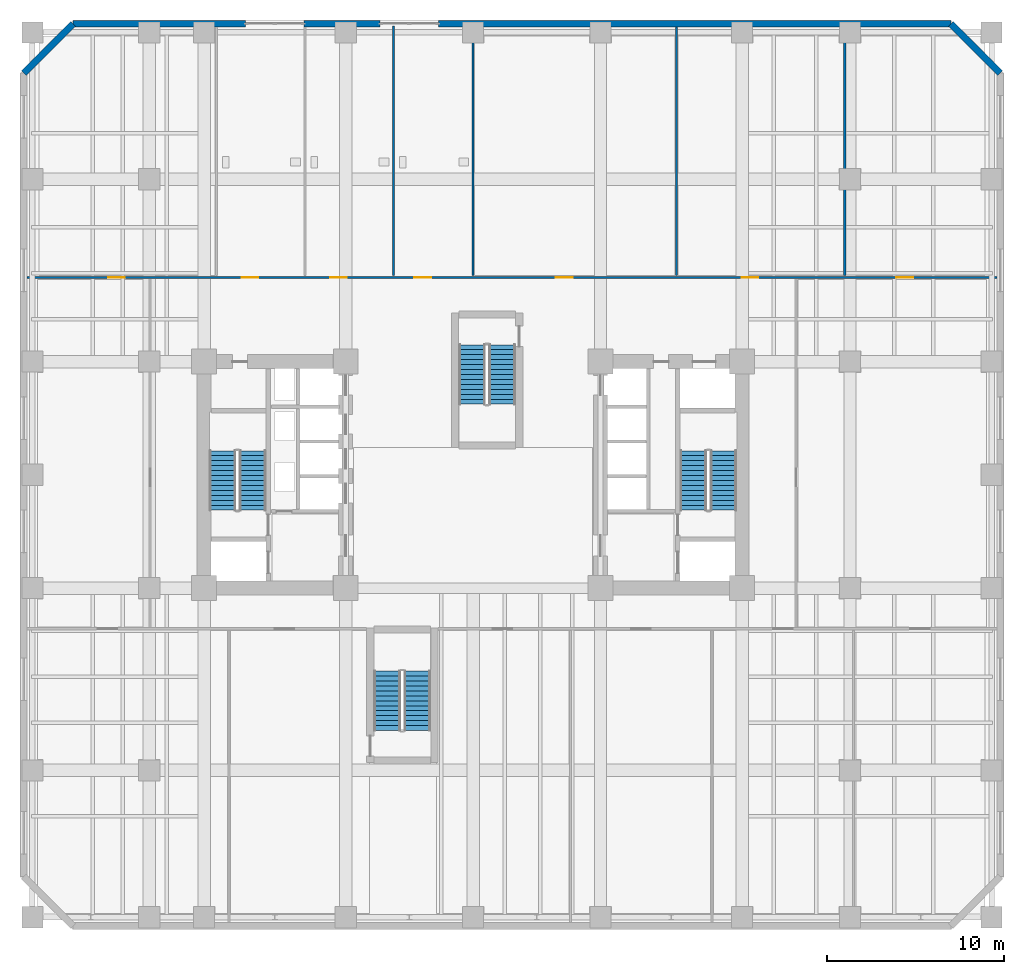
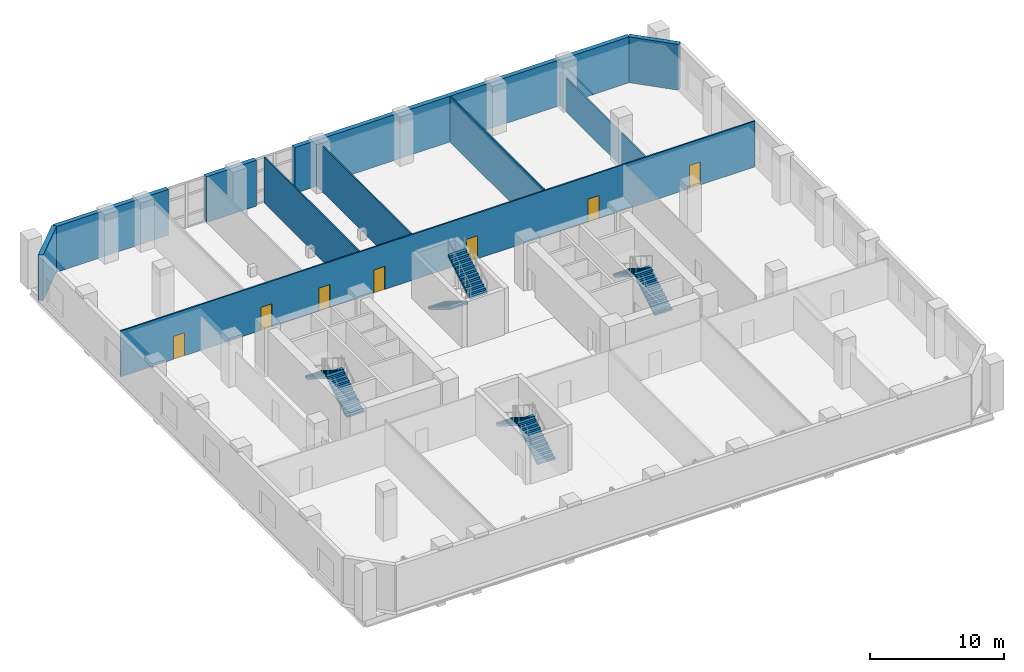
# One storey, part 9 of 15: 10 walls, 8 stair flights, 7 doors, 7 openings, 4 elements without a shape of their own.
"""IFC4 building model written with IfcOpenShell, lengths in metres."""

from ifc_helpers import new_model, si_unit, direction, frame, frame_2d, origin, place, context, subcontext, project, spatial, polyline, rectangle, outline, extrude, material, layer, layer_set, type_object, element, fill, aggregate, save


model = new_model("IFC4")

# Units and contexts
model_context = context("Model", 3, precision=1e-05, world=origin(), true_north=direction((0.0, 1.0)))
body_context = subcontext(model_context, "Body", "Model", "MODEL_VIEW")
ifc_project = project(units=[si_unit("LENGTHUNIT", "METRE"), si_unit("AREAUNIT", "SQUARE_METRE"), si_unit("VOLUMEUNIT", "CUBIC_METRE"), si_unit("PLANEANGLEUNIT", "RADIAN"), si_unit("MASSUNIT", "GRAM", prefix="KILO")], contexts=[model_context])

# Site, building, storey
site_placement = place(None, origin())
site = spatial("IfcSite", under=ifc_project, at=site_placement, CompositionType="ELEMENT")
building_placement = place(site_placement, origin())
building = spatial("IfcBuilding", under=site, at=building_placement, Name="Kranthara Brick Stack", CompositionType="ELEMENT")
storey_placement = place(building_placement, frame((0.0, 0.0, 9.89990234375)))
storey = spatial("IfcBuildingStorey", under=building, at=storey_placement, Name="L02", CompositionType="ELEMENT", Elevation=9.89990234375)

# Walls
ifc_material_1 = material(Name="Kiln-fired clay brick masonry M15", Category="masonry")
ifc_layer_1 = layer(ifc_material_1, 0.3798828125)
ifc_layer_set_1 = layer_set([ifc_layer_1], Name="Kiln-fired clay brick masonry M15")
wall_type_1 = type_object("IfcWallType", Name="WL-BRK-PIER-380", PredefinedType="STANDARD", material=ifc_layer_set_1)
wall_1_placement = place(storey_placement, frame((2.610107421875, 49.89990234375, 0.0), z_axis=(0.0, 0.0, 1.0), x_axis=(0.707075841688, 0.707137719332, 0.0)))
element("IfcWall", 1, at=wall_1_placement, inside=storey, type_object=wall_type_1, Name="L02 Exterior Brick Facade Wall NW 1", PredefinedType="STANDARD", context=body_context, shape_type="SweptSolid", body=[
    extrude(rectangle(XDim=3.945556640625, YDim=0.3798828125, at=frame_2d((1.97265625, 0.0))), origin(), (0.0, 0.0, 1.0), 4.18017578125),
])
wall_2_placement = place(storey_placement, frame((5.39990234375, 52.68994140625, 0.0), z_axis=(0.0, 0.0, 1.0), x_axis=(1.0, 0.0, 0.0)))
element("IfcWall", 2, at=wall_2_placement, inside=storey, type_object=wall_type_1, Name="L02 Exterior Brick Facade Wall NORTH 1", PredefinedType="STANDARD", context=body_context, shape_type="SweptSolid", body=[
    extrude(rectangle(XDim=9.75, YDim=0.3798828125, at=frame_2d((4.875, 0.0))), origin(), (0.0, 0.0, 1.0), 4.18017578125),
])
wall_3_placement = place(storey_placement, frame((18.449951171875, 52.68994140625, 0.0), z_axis=(0.0, 0.0, 1.0), x_axis=(1.0, 0.0, 0.0)))
element("IfcWall", 3, at=wall_3_placement, inside=storey, type_object=wall_type_1, Name="L02 Exterior Brick Facade Wall NORTH 2", PredefinedType="STANDARD", context=body_context, shape_type="SweptSolid", body=[
    extrude(rectangle(XDim=4.300048828125, YDim=0.3798828125, at=frame_2d((2.14990234375, 0.0))), origin(), (0.0, 0.0, 1.0), 4.18017578125),
])
wall_4_placement = place(storey_placement, frame((26.050048828125, 52.68994140625, 0.0), z_axis=(0.0, 0.0, 1.0), x_axis=(1.0, 0.0, 0.0)))
element("IfcWall", 4, at=wall_4_placement, inside=storey, type_object=wall_type_1, Name="L02 Exterior Brick Facade Wall NORTH 3", PredefinedType="STANDARD", context=body_context, shape_type="SweptSolid", body=[
    extrude(rectangle(XDim=28.949951171875, YDim=0.3798828125, at=frame_2d((14.47509765625, 0.0))), origin(), (0.0, 0.0, 1.0), 4.18017578125),
])
wall_5_placement = place(storey_placement, frame((55.0, 52.68994140625, 0.0), z_axis=(0.0, 0.0, 1.0), x_axis=(0.707106781187, -0.707106781187, 0.0)))
element("IfcWall", 5, at=wall_5_placement, inside=storey, type_object=wall_type_1, Name="L02 Exterior Brick Facade Wall NE 1", PredefinedType="STANDARD", context=body_context, shape_type="SweptSolid", body=[
    extrude(rectangle(XDim=3.94580078125, YDim=0.3798828125, at=frame_2d((1.972900390625, 0.0))), origin(), (0.0, 0.0, 1.0), 4.18017578125),
])

# Wall, openings, doors
ifc_material_2 = material(Name="Acoustic gypsum plasterboard partition", Category="other")
ifc_layer_2 = layer(ifc_material_2, 0.1201171875)
ifc_layer_set_2 = layer_set([ifc_layer_2], Name="Acoustic gypsum plasterboard partition")
wall_type_2 = type_object("IfcWallType", Name="WL-PART-120", PredefinedType="PARTITIONING", material=ifc_layer_set_2)
wall_6_placement = place(storey_placement, frame((2.804931640625, 38.35009765625, 0.0), z_axis=(0.0, 0.0, 1.0), x_axis=(1.0, 0.0, 0.0)))
wall_6 = element("IfcWall", 6, at=wall_6_placement, inside=storey, type_object=wall_type_2, Name="L02 Interior Partition 007", PredefinedType="PARTITIONING", context=body_context, shape_type="SweptSolid", body=[
    extrude(rectangle(XDim=54.7900390625, YDim=0.1201171875, at=frame_2d((27.39501953125, 0.0))), origin(), (0.0, 0.0, 1.0), 4.18017578125),
])
opening_1_placement = place(wall_6_placement, frame((4.570068359375, 0.0, 0.0)))
opening_1 = element("IfcOpeningElement", 7, at=opening_1_placement, cuts=wall_6, Name="Opening D14", PredefinedType="OPENING", context=body_context, shape_type="SweptSolid", body=[
    extrude(rectangle(XDim=0.949951171875, YDim=2.10009765625, at=frame_2d((0.47509765625, 1.050048828125))), frame((0.0, 0.070068359375, 0.0), z_axis=(0.0, -1.0, 0.0), x_axis=(1.0, 0.0, 0.0)), (0.0, 0.0, 1.0), 0.14013671875),
])
opening_2_placement = place(wall_6_placement, frame((12.1201171875, 0.0, 0.0)))
opening_2 = element("IfcOpeningElement", 8, at=opening_2_placement, cuts=wall_6, Name="Opening D14", PredefinedType="OPENING", context=body_context, shape_type="SweptSolid", body=[
    extrude(rectangle(XDim=0.949951171875, YDim=2.10009765625, at=frame_2d((0.47509765625, 1.050048828125))), frame((0.0, 0.070068359375, 0.0), z_axis=(0.0, -1.0, 0.0), x_axis=(1.0, 0.0, 0.0)), (0.0, 0.0, 1.0), 0.14013671875),
])
opening_3_placement = place(wall_6_placement, frame((17.1201171875, 0.0, 0.0)))
opening_3 = element("IfcOpeningElement", 9, at=opening_3_placement, cuts=wall_6, Name="Opening D14", PredefinedType="OPENING", context=body_context, shape_type="SweptSolid", body=[
    extrude(rectangle(XDim=0.949951171875, YDim=2.10009765625, at=frame_2d((0.47509765625, 1.050048828125))), frame((0.0, 0.070068359375, 0.0), z_axis=(0.0, -1.0, 0.0), x_axis=(1.0, 0.0, 0.0)), (0.0, 0.0, 1.0), 0.14013671875),
])
opening_4_placement = place(wall_6_placement, frame((21.8701171875, 0.0, 0.0)))
opening_4 = element("IfcOpeningElement", 10, at=opening_4_placement, cuts=wall_6, Name="Opening D14", PredefinedType="OPENING", context=body_context, shape_type="SweptSolid", body=[
    extrude(rectangle(XDim=0.949951171875, YDim=2.10009765625, at=frame_2d((0.47509765625, 1.050048828125))), frame((0.0, 0.070068359375, 0.0), z_axis=(0.0, -1.0, 0.0), x_axis=(1.0, 0.0, 0.0)), (0.0, 0.0, 1.0), 0.14013671875),
])
opening_5_placement = place(wall_6_placement, frame((29.8701171875, 0.0, 0.0)))
opening_5 = element("IfcOpeningElement", 11, at=opening_5_placement, cuts=wall_6, Name="Opening D14", PredefinedType="OPENING", context=body_context, shape_type="SweptSolid", body=[
    extrude(rectangle(XDim=0.949951171875, YDim=2.10009765625, at=frame_2d((0.47509765625, 1.050048828125))), frame((0.0, 0.070068359375, 0.0), z_axis=(0.0, -1.0, 0.0), x_axis=(1.0, 0.0, 0.0)), (0.0, 0.0, 1.0), 0.14013671875),
])
opening_6_placement = place(wall_6_placement, frame((40.3701171875, 0.0, 0.0)))
opening_6 = element("IfcOpeningElement", 12, at=opening_6_placement, cuts=wall_6, Name="Opening D14", PredefinedType="OPENING", context=body_context, shape_type="SweptSolid", body=[
    extrude(rectangle(XDim=0.949951171875, YDim=2.10009765625, at=frame_2d((0.47509765625, 1.050048828125))), frame((0.0, 0.070068359375, 0.0), z_axis=(0.0, -1.0, 0.0), x_axis=(1.0, 0.0, 0.0)), (0.0, 0.0, 1.0), 0.14013671875),
])
opening_7_placement = place(wall_6_placement, frame((49.1201171875, 0.0, 0.0)))
opening_7 = element("IfcOpeningElement", 13, at=opening_7_placement, cuts=wall_6, Name="Opening D14", PredefinedType="OPENING", context=body_context, shape_type="SweptSolid", body=[
    extrude(rectangle(XDim=0.949951171875, YDim=2.10009765625, at=frame_2d((0.47509765625, 1.050048828125))), frame((0.0, 0.070068359375, 0.0), z_axis=(0.0, -1.0, 0.0), x_axis=(1.0, 0.0, 0.0)), (0.0, 0.0, 1.0), 0.14013671875),
])
ifc_material_3 = material(Name="Solid-core hardwood timber leaf in steel frame", Category="steel")
door_type = type_object("IfcDoorType", Name="DR-INT-950", OperationType="NOTDEFINED", PredefinedType="DOOR", material=ifc_material_3)
door_1_placement = place(opening_1_placement, origin())
door_1 = element("IfcDoor", 14, at=door_1_placement, inside=storey, type_object=door_type, Name="L02 Enterprise Office Suite 07", OperationType="SINGLE_SWING_LEFT", OverallHeight=2.10009765625, OverallWidth=0.949951171875, PredefinedType="DOOR", context=body_context, shape_type="SweptSolid", body=[
    extrude(rectangle(XDim=0.949951171875, YDim=2.10009765625, at=frame_2d((0.47509765625, 1.050048828125))), frame((0.0, 0.02490234375, 0.0), z_axis=(0.0, -1.0, 0.0), x_axis=(1.0, 0.0, 0.0)), (0.0, 0.0, 1.0), 0.050048828125),
])
fill(opening_1, door_1)
door_2_placement = place(opening_2_placement, origin())
door_2 = element("IfcDoor", 15, at=door_2_placement, inside=storey, type_object=door_type, Name="L02 Male Restroom WC 08", OperationType="SINGLE_SWING_RIGHT", OverallHeight=2.10009765625, OverallWidth=0.949951171875, PredefinedType="DOOR", context=body_context, shape_type="SweptSolid", body=[
    extrude(rectangle(XDim=0.949951171875, YDim=2.10009765625, at=frame_2d((0.47509765625, 1.050048828125))), frame((0.0, 0.02490234375, 0.0), z_axis=(0.0, -1.0, 0.0), x_axis=(1.0, 0.0, 0.0)), (0.0, 0.0, 1.0), 0.050048828125),
])
fill(opening_2, door_2)
door_3_placement = place(opening_3_placement, origin())
door_3 = element("IfcDoor", 16, at=door_3_placement, inside=storey, type_object=door_type, Name="L02 Female Restroom WC 09", OperationType="SINGLE_SWING_LEFT", OverallHeight=2.10009765625, OverallWidth=0.949951171875, PredefinedType="DOOR", context=body_context, shape_type="SweptSolid", body=[
    extrude(rectangle(XDim=0.949951171875, YDim=2.10009765625, at=frame_2d((0.47509765625, 1.050048828125))), frame((0.0, 0.02490234375, 0.0), z_axis=(0.0, -1.0, 0.0), x_axis=(1.0, 0.0, 0.0)), (0.0, 0.0, 1.0), 0.050048828125),
])
fill(opening_3, door_3)
door_4_placement = place(opening_4_placement, origin())
door_4 = element("IfcDoor", 17, at=door_4_placement, inside=storey, type_object=door_type, Name="L02 Accessible Restroom WC 10", OperationType="SINGLE_SWING_RIGHT", OverallHeight=2.10009765625, OverallWidth=0.949951171875, PredefinedType="DOOR", context=body_context, shape_type="SweptSolid", body=[
    extrude(rectangle(XDim=0.949951171875, YDim=2.10009765625, at=frame_2d((0.47509765625, 1.050048828125))), frame((0.0, 0.02490234375, 0.0), z_axis=(0.0, -1.0, 0.0), x_axis=(1.0, 0.0, 0.0)), (0.0, 0.0, 1.0), 0.050048828125),
])
fill(opening_4, door_4)
door_5_placement = place(opening_5_placement, origin())
door_5 = element("IfcDoor", 18, at=door_5_placement, inside=storey, type_object=door_type, Name="L02 Staff Tea Pantry 11", OperationType="SINGLE_SWING_LEFT", OverallHeight=2.10009765625, OverallWidth=0.949951171875, PredefinedType="DOOR", context=body_context, shape_type="SweptSolid", body=[
    extrude(rectangle(XDim=0.949951171875, YDim=2.10009765625, at=frame_2d((0.47509765625, 1.050048828125))), frame((0.0, 0.02490234375, 0.0), z_axis=(0.0, -1.0, 0.0), x_axis=(1.0, 0.0, 0.0)), (0.0, 0.0, 1.0), 0.050048828125),
])
fill(opening_5, door_5)
door_6_placement = place(opening_6_placement, origin())
door_6 = element("IfcDoor", 19, at=door_6_placement, inside=storey, type_object=door_type, Name="L02 Conference Room North 12", OperationType="SINGLE_SWING_RIGHT", OverallHeight=2.10009765625, OverallWidth=0.949951171875, PredefinedType="DOOR", context=body_context, shape_type="SweptSolid", body=[
    extrude(rectangle(XDim=0.949951171875, YDim=2.10009765625, at=frame_2d((0.47509765625, 1.050048828125))), frame((0.0, 0.02490234375, 0.0), z_axis=(0.0, -1.0, 0.0), x_axis=(1.0, 0.0, 0.0)), (0.0, 0.0, 1.0), 0.050048828125),
])
fill(opening_6, door_6)
door_7_placement = place(opening_7_placement, origin())
door_7 = element("IfcDoor", 20, at=door_7_placement, inside=storey, type_object=door_type, Name="L02 Executive Corner Office 13", OperationType="SINGLE_SWING_LEFT", OverallHeight=2.10009765625, OverallWidth=0.949951171875, PredefinedType="DOOR", context=body_context, shape_type="SweptSolid", body=[
    extrude(rectangle(XDim=0.949951171875, YDim=2.10009765625, at=frame_2d((0.47509765625, 1.050048828125))), frame((0.0, 0.02490234375, 0.0), z_axis=(0.0, -1.0, 0.0), x_axis=(1.0, 0.0, 0.0)), (0.0, 0.0, 1.0), 0.050048828125),
])
fill(opening_7, door_7)

# Walls
wall_7_placement = place(storey_placement, frame((23.5, 38.449951171875, 0.0), z_axis=(0.0, 0.0, 1.0), x_axis=(0.0, 1.0, 0.0)))
element("IfcWall", 21, at=wall_7_placement, inside=storey, type_object=wall_type_2, Name="L02 Interior Partition 010", PredefinedType="PARTITIONING", context=body_context, shape_type="SweptSolid", body=[
    extrude(rectangle(XDim=14.125, YDim=0.1201171875, at=frame_2d((7.0625, 0.0))), origin(), (0.0, 0.0, 1.0), 4.18017578125),
])
for number, where, z_axis, x_axis, name in (
    (22, (28.0, 38.449951171875, 0.0), (0.0, 0.0, 1.0), (0.0, 1.0, 0.0), "L02 Interior Partition 011"),
    (23, (39.5, 38.449951171875, 0.0), (0.0, 0.0, 1.0), (0.0, 1.0, 0.0), "L02 Interior Partition 012"),
):
    element("IfcWall", number, at=place(storey_placement, frame(where, z_axis=z_axis, x_axis=x_axis)), inside=storey, type_object=wall_type_2, Name=name, PredefinedType="PARTITIONING", context=body_context, shape_type="SweptSolid", body=[
        extrude(rectangle(XDim=14.045166015625, YDim=0.1201171875, at=frame_2d((7.0224609375, 0.0))), origin(), (0.0, 0.0, 1.0), 4.18017578125),
    ])
wall_8_placement = place(storey_placement, frame((49.0, 38.449951171875, 0.0), z_axis=(0.0, 0.0, 1.0), x_axis=(0.0, 1.0, 0.0)))
element("IfcWall", 24, at=wall_8_placement, inside=storey, type_object=wall_type_2, Name="L02 Interior Partition 013", PredefinedType="PARTITIONING", context=body_context, shape_type="SweptSolid", body=[
    extrude(rectangle(XDim=14.045166015625, YDim=0.1201171875, at=frame_2d((7.0224609375, 0.0))), origin(), (0.0, 0.0, 1.0), 3.065185546875),
])

# Stair, stair flights
ifc_material_4 = material(Name="Concrete C45/55", Category="concrete")
stair_type = type_object("IfcStairType", Name="ST-CORE-26R", PredefinedType="HALF_TURN_STAIR", material=ifc_material_4)
stair_1_placement = place(storey_placement, origin())
stair_1 = element("IfcStair", 25, at=stair_1_placement, inside=storey, type_object=stair_type, Name="L02 West Core Protected Exit Stair ST01", PredefinedType="HALF_TURN_STAIR")
ifc_material_5 = material(Name="Concrete C45/55", Category="concrete")
stair_flight_type = type_object("IfcStairFlightType", Name="SFL-RC-26R", PredefinedType="STRAIGHT", material=ifc_material_5)
stair_flight_1_placement = place(storey_placement, frame((15.550048828125, 25.199951171875, 0.0), z_axis=(0.0, 0.0, 1.0), x_axis=(0.0, 1.0, 0.0)))
stair_flight_1 = element("IfcStairFlight", 26, at=stair_flight_1_placement, type_object=stair_flight_type, Name="ST01 flight 1", NumberOfRisers=13, NumberOfTreads=12, PredefinedType="STRAIGHT", RiserHeight=0.173076923, TreadLength=0.28, context=body_context, shape_type="SweptSolid", body=[
    extrude(outline(polyline([(0.0, 0.0), (0.0, 0.173095703125), (0.280029296875, 0.173095703125), (0.280029296875, 0.34619140625), (0.56005859375, 0.34619140625), (0.56005859375, 0.519287109375), (0.840087890625, 0.519287109375), (0.840087890625, 0.6923828125), (1.1201171875, 0.6923828125), (1.1201171875, 0.865478515625), (1.39990234375, 0.865478515625), (1.39990234375, 1.03857421875), (1.679931640625, 1.03857421875), (1.679931640625, 1.21142578125), (1.9599609375, 1.21142578125), (1.9599609375, 1.384521484375), (2.239990234375, 1.384521484375), (2.239990234375, 1.5576171875), (2.52001953125, 1.5576171875), (2.52001953125, 1.730712890625), (2.800048828125, 1.730712890625), (2.800048828125, 1.90380859375), (3.080078125, 1.90380859375), (3.080078125, 2.076904296875), (3.360107421875, 2.076904296875), (3.360107421875, 2.25), (3.360107421875, 1.900634765625), (0.28515625, 0.0), (0.0, 0.0)])), frame((0.0, 0.75, 0.0), z_axis=(0.0, -1.0, 0.0), x_axis=(1.0, 0.0, 0.0)), (0.0, 0.0, 1.0), 1.5),
])
stair_flight_2_placement = place(storey_placement, frame((13.85009765625, 28.56005859375, 2.25), z_axis=(0.0, 0.0, 1.0), x_axis=(0.0, -1.0, 0.0)))
stair_flight_2 = element("IfcStairFlight", 27, at=stair_flight_2_placement, type_object=stair_flight_type, Name="ST01 flight 2", NumberOfRisers=13, NumberOfTreads=12, PredefinedType="STRAIGHT", RiserHeight=0.173076923, TreadLength=0.28, context=body_context, shape_type="SweptSolid", body=[
    extrude(outline(polyline([(0.0, 0.0), (0.0, 0.173095703125), (0.280029296875, 0.173095703125), (0.280029296875, 0.34619140625), (0.56005859375, 0.34619140625), (0.56005859375, 0.519287109375), (0.840087890625, 0.519287109375), (0.840087890625, 0.6923828125), (1.1201171875, 0.6923828125), (1.1201171875, 0.865478515625), (1.39990234375, 0.865478515625), (1.39990234375, 1.03857421875), (1.679931640625, 1.03857421875), (1.679931640625, 1.21142578125), (1.9599609375, 1.21142578125), (1.9599609375, 1.384521484375), (2.239990234375, 1.384521484375), (2.239990234375, 1.5576171875), (2.52001953125, 1.5576171875), (2.52001953125, 1.730712890625), (2.800048828125, 1.730712890625), (2.800048828125, 1.90380859375), (3.080078125, 1.90380859375), (3.080078125, 2.076904296875), (3.360107421875, 2.076904296875), (3.360107421875, 2.25), (3.360107421875, 1.900634765625), (0.28515625, 0.0), (0.0, 0.0)])), frame((0.0, 0.75, 0.0), z_axis=(0.0, -1.0, 0.0), x_axis=(1.0, 0.0, 0.0)), (0.0, 0.0, 1.0), 1.5),
])
aggregate(stair_1, [stair_flight_1, stair_flight_2])

stair_2_placement = place(storey_placement, origin())
stair_2 = element("IfcStair", 28, at=stair_2_placement, inside=storey, type_object=stair_type, Name="L02 East Core Protected Exit Stair ST02", PredefinedType="HALF_TURN_STAIR")
stair_flight_3_placement = place(storey_placement, frame((42.14990234375, 25.199951171875, 0.0), z_axis=(0.0, 0.0, 1.0), x_axis=(0.0, 1.0, 0.0)))
stair_flight_3 = element("IfcStairFlight", 29, at=stair_flight_3_placement, type_object=stair_flight_type, Name="ST02 flight 1", NumberOfRisers=13, NumberOfTreads=12, PredefinedType="STRAIGHT", RiserHeight=0.173076923, TreadLength=0.28, context=body_context, shape_type="SweptSolid", body=[
    extrude(outline(polyline([(0.0, 0.0), (0.0, 0.173095703125), (0.280029296875, 0.173095703125), (0.280029296875, 0.34619140625), (0.56005859375, 0.34619140625), (0.56005859375, 0.519287109375), (0.840087890625, 0.519287109375), (0.840087890625, 0.6923828125), (1.1201171875, 0.6923828125), (1.1201171875, 0.865478515625), (1.39990234375, 0.865478515625), (1.39990234375, 1.03857421875), (1.679931640625, 1.03857421875), (1.679931640625, 1.21142578125), (1.9599609375, 1.21142578125), (1.9599609375, 1.384521484375), (2.239990234375, 1.384521484375), (2.239990234375, 1.5576171875), (2.52001953125, 1.5576171875), (2.52001953125, 1.730712890625), (2.800048828125, 1.730712890625), (2.800048828125, 1.90380859375), (3.080078125, 1.90380859375), (3.080078125, 2.076904296875), (3.360107421875, 2.076904296875), (3.360107421875, 2.25), (3.360107421875, 1.900634765625), (0.28515625, 0.0), (0.0, 0.0)])), frame((0.0, 0.75, 0.0), z_axis=(0.0, -1.0, 0.0), x_axis=(1.0, 0.0, 0.0)), (0.0, 0.0, 1.0), 1.5),
])
stair_flight_4_placement = place(storey_placement, frame((40.449951171875, 28.56005859375, 2.25), z_axis=(0.0, 0.0, 1.0), x_axis=(0.0, -1.0, 0.0)))
stair_flight_4 = element("IfcStairFlight", 30, at=stair_flight_4_placement, type_object=stair_flight_type, Name="ST02 flight 2", NumberOfRisers=13, NumberOfTreads=12, PredefinedType="STRAIGHT", RiserHeight=0.173076923, TreadLength=0.28, context=body_context, shape_type="SweptSolid", body=[
    extrude(outline(polyline([(0.0, 0.0), (0.0, 0.173095703125), (0.280029296875, 0.173095703125), (0.280029296875, 0.34619140625), (0.56005859375, 0.34619140625), (0.56005859375, 0.519287109375), (0.840087890625, 0.519287109375), (0.840087890625, 0.6923828125), (1.1201171875, 0.6923828125), (1.1201171875, 0.865478515625), (1.39990234375, 0.865478515625), (1.39990234375, 1.03857421875), (1.679931640625, 1.03857421875), (1.679931640625, 1.21142578125), (1.9599609375, 1.21142578125), (1.9599609375, 1.384521484375), (2.239990234375, 1.384521484375), (2.239990234375, 1.5576171875), (2.52001953125, 1.5576171875), (2.52001953125, 1.730712890625), (2.800048828125, 1.730712890625), (2.800048828125, 1.90380859375), (3.080078125, 1.90380859375), (3.080078125, 2.076904296875), (3.360107421875, 2.076904296875), (3.360107421875, 2.25), (3.360107421875, 1.900634765625), (0.28515625, 0.0), (0.0, 0.0)])), frame((0.0, 0.75, 0.0), z_axis=(0.0, -1.0, 0.0), x_axis=(1.0, 0.0, 0.0)), (0.0, 0.0, 1.0), 1.5),
])
aggregate(stair_2, [stair_flight_3, stair_flight_4])

stair_3_placement = place(storey_placement, origin())
stair_3 = element("IfcStair", 31, at=stair_3_placement, inside=storey, type_object=stair_type, Name="L02 Podium South Protected Exit Stair ST03", PredefinedType="HALF_TURN_STAIR")
stair_flight_5_placement = place(storey_placement, frame((24.85009765625, 12.75, 0.0), z_axis=(0.0, 0.0, 1.0), x_axis=(0.0, 1.0, 0.0)))
stair_flight_5 = element("IfcStairFlight", 32, at=stair_flight_5_placement, type_object=stair_flight_type, Name="ST03 flight 1", NumberOfRisers=13, NumberOfTreads=12, PredefinedType="STRAIGHT", RiserHeight=0.173076923, TreadLength=0.28, context=body_context, shape_type="SweptSolid", body=[
    extrude(outline(polyline([(0.0, 0.0), (0.0, 0.173095703125), (0.280029296875, 0.173095703125), (0.280029296875, 0.34619140625), (0.56005859375, 0.34619140625), (0.56005859375, 0.519287109375), (0.840087890625, 0.519287109375), (0.840087890625, 0.6923828125), (1.1201171875, 0.6923828125), (1.1201171875, 0.865478515625), (1.39990234375, 0.865478515625), (1.39990234375, 1.03857421875), (1.679931640625, 1.03857421875), (1.679931640625, 1.21142578125), (1.9599609375, 1.21142578125), (1.9599609375, 1.384521484375), (2.239990234375, 1.384521484375), (2.239990234375, 1.5576171875), (2.52001953125, 1.5576171875), (2.52001953125, 1.730712890625), (2.800048828125, 1.730712890625), (2.800048828125, 1.90380859375), (3.080078125, 1.90380859375), (3.080078125, 2.076904296875), (3.360107421875, 2.076904296875), (3.360107421875, 2.25), (3.360107421875, 1.900634765625), (0.28515625, 0.0), (0.0, 0.0)])), frame((0.0, 0.75, 0.0), z_axis=(0.0, -1.0, 0.0), x_axis=(1.0, 0.0, 0.0)), (0.0, 0.0, 1.0), 1.5),
])
stair_flight_6_placement = place(storey_placement, frame((23.14990234375, 16.110107421875, 2.25), z_axis=(0.0, 0.0, 1.0), x_axis=(0.0, -1.0, 0.0)))
stair_flight_6 = element("IfcStairFlight", 33, at=stair_flight_6_placement, type_object=stair_flight_type, Name="ST03 flight 2", NumberOfRisers=13, NumberOfTreads=12, PredefinedType="STRAIGHT", RiserHeight=0.173076923, TreadLength=0.28, context=body_context, shape_type="SweptSolid", body=[
    extrude(outline(polyline([(0.0, 0.0), (0.0, 0.173095703125), (0.280029296875, 0.173095703125), (0.280029296875, 0.34619140625), (0.56005859375, 0.34619140625), (0.56005859375, 0.519287109375), (0.840087890625, 0.519287109375), (0.840087890625, 0.6923828125), (1.1201171875, 0.6923828125), (1.1201171875, 0.865478515625), (1.39990234375, 0.865478515625), (1.39990234375, 1.03857421875), (1.679931640625, 1.03857421875), (1.679931640625, 1.21142578125), (1.9599609375, 1.21142578125), (1.9599609375, 1.384521484375), (2.239990234375, 1.384521484375), (2.239990234375, 1.5576171875), (2.52001953125, 1.5576171875), (2.52001953125, 1.730712890625), (2.800048828125, 1.730712890625), (2.800048828125, 1.90380859375), (3.080078125, 1.90380859375), (3.080078125, 2.076904296875), (3.360107421875, 2.076904296875), (3.360107421875, 2.25), (3.360107421875, 1.900634765625), (0.28515625, 0.0), (0.0, 0.0)])), frame((0.0, 0.75, 0.0), z_axis=(0.0, -1.0, 0.0), x_axis=(1.0, 0.0, 0.0)), (0.0, 0.0, 1.0), 1.5),
])
aggregate(stair_3, [stair_flight_5, stair_flight_6])

stair_4_placement = place(storey_placement, origin())
stair_4 = element("IfcStair", 34, at=stair_4_placement, inside=storey, type_object=stair_type, Name="L02 Podium North Protected Exit Stair ST04", PredefinedType="HALF_TURN_STAIR")
stair_flight_7_placement = place(storey_placement, frame((27.949951171875, 34.550048828125, 0.0), z_axis=(0.0, 0.0, 1.0), x_axis=(0.0, -1.0, 0.0)))
stair_flight_7 = element("IfcStairFlight", 35, at=stair_flight_7_placement, type_object=stair_flight_type, Name="ST04 flight 1", NumberOfRisers=13, NumberOfTreads=12, PredefinedType="STRAIGHT", RiserHeight=0.173076923, TreadLength=0.28, context=body_context, shape_type="SweptSolid", body=[
    extrude(outline(polyline([(0.0, 0.0), (0.0, 0.173095703125), (0.280029296875, 0.173095703125), (0.280029296875, 0.34619140625), (0.56005859375, 0.34619140625), (0.56005859375, 0.519287109375), (0.840087890625, 0.519287109375), (0.840087890625, 0.6923828125), (1.1201171875, 0.6923828125), (1.1201171875, 0.865478515625), (1.39990234375, 0.865478515625), (1.39990234375, 1.03857421875), (1.679931640625, 1.03857421875), (1.679931640625, 1.21142578125), (1.9599609375, 1.21142578125), (1.9599609375, 1.384521484375), (2.239990234375, 1.384521484375), (2.239990234375, 1.5576171875), (2.52001953125, 1.5576171875), (2.52001953125, 1.730712890625), (2.800048828125, 1.730712890625), (2.800048828125, 1.90380859375), (3.080078125, 1.90380859375), (3.080078125, 2.076904296875), (3.360107421875, 2.076904296875), (3.360107421875, 2.25), (3.360107421875, 1.900634765625), (0.28515625, 0.0), (0.0, 0.0)])), frame((0.0, 0.75, 0.0), z_axis=(0.0, -1.0, 0.0), x_axis=(1.0, 0.0, 0.0)), (0.0, 0.0, 1.0), 1.5),
])
stair_flight_8_placement = place(storey_placement, frame((29.64990234375, 31.18994140625, 2.25), z_axis=(0.0, 0.0, 1.0), x_axis=(0.0, 1.0, 0.0)))
stair_flight_8 = element("IfcStairFlight", 36, at=stair_flight_8_placement, type_object=stair_flight_type, Name="ST04 flight 2", NumberOfRisers=13, NumberOfTreads=12, PredefinedType="STRAIGHT", RiserHeight=0.173076923, TreadLength=0.28, context=body_context, shape_type="SweptSolid", body=[
    extrude(outline(polyline([(0.0, 0.0), (0.0, 0.173095703125), (0.280029296875, 0.173095703125), (0.280029296875, 0.34619140625), (0.56005859375, 0.34619140625), (0.56005859375, 0.519287109375), (0.840087890625, 0.519287109375), (0.840087890625, 0.6923828125), (1.1201171875, 0.6923828125), (1.1201171875, 0.865478515625), (1.39990234375, 0.865478515625), (1.39990234375, 1.03857421875), (1.679931640625, 1.03857421875), (1.679931640625, 1.21142578125), (1.9599609375, 1.21142578125), (1.9599609375, 1.384521484375), (2.239990234375, 1.384521484375), (2.239990234375, 1.5576171875), (2.52001953125, 1.5576171875), (2.52001953125, 1.730712890625), (2.800048828125, 1.730712890625), (2.800048828125, 1.90380859375), (3.080078125, 1.90380859375), (3.080078125, 2.076904296875), (3.360107421875, 2.076904296875), (3.360107421875, 2.25), (3.360107421875, 1.900634765625), (0.28515625, 0.0), (0.0, 0.0)])), frame((0.0, 0.75, 0.0), z_axis=(0.0, -1.0, 0.0), x_axis=(1.0, 0.0, 0.0)), (0.0, 0.0, 1.0), 1.5),
])
aggregate(stair_4, [stair_flight_7, stair_flight_8])

save(model, "model.ifc")
